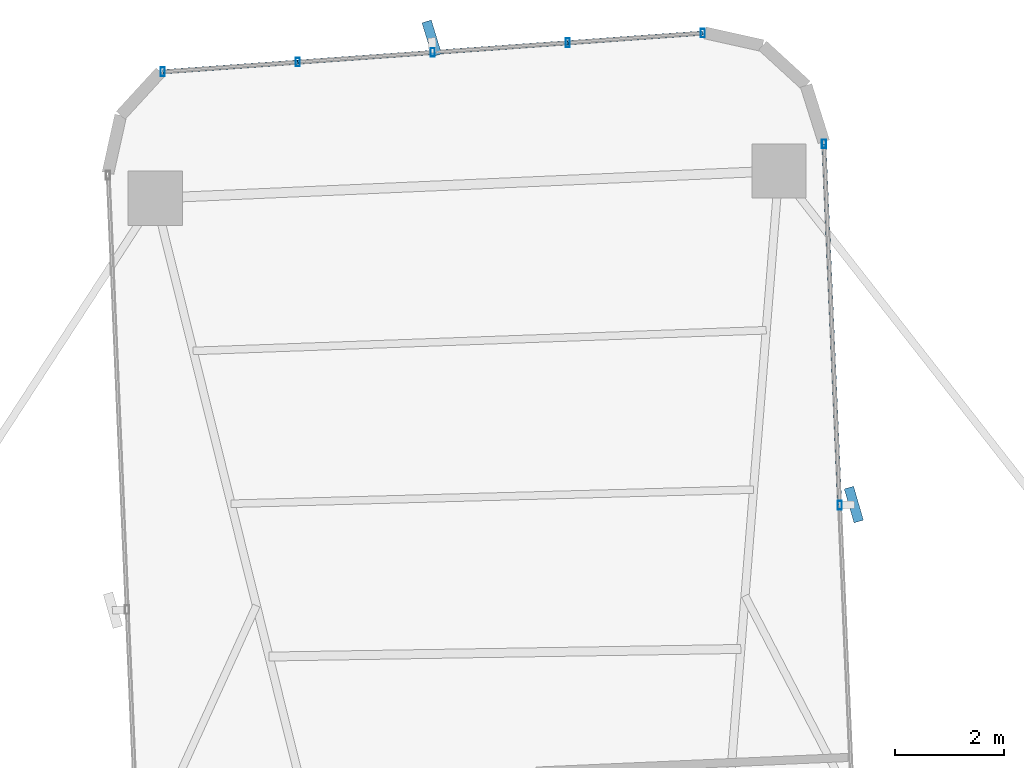
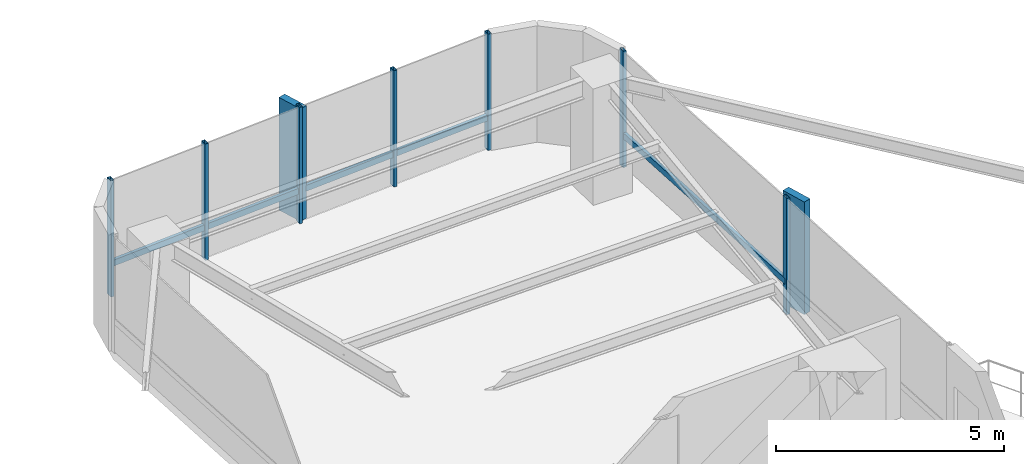
# One storey, part 19 of 26: 14 members, 2 elements without a shape of their own.
"""IFC4 building model written with IfcOpenShell, lengths in metres."""

from ifc_helpers import new_model, si_unit, direction, frame, origin, origin_2d, place, context, subcontext, project, spatial, rectangle, hollow_rectangle, extrude, source, transform, mapped, material, material_profile, profile_set, type_object, element, aggregate, save


model = new_model("IFC4")

# Units and contexts
model_context = context("Model", 3, precision=1e-05, world=origin(), true_north=direction((0.0, 1.0)))
body_context = subcontext(model_context, "Body", "Model", "MODEL_VIEW")
ifc_project = project(units=[si_unit("LENGTHUNIT", "METRE"), si_unit("AREAUNIT", "SQUARE_METRE"), si_unit("VOLUMEUNIT", "CUBIC_METRE"), si_unit("PLANEANGLEUNIT", "RADIAN"), si_unit("MASSUNIT", "GRAM", prefix="KILO")], contexts=[model_context])

# Site, building, storey
site_placement = place(None, origin())
site = spatial("IfcSite", under=ifc_project, at=site_placement, CompositionType="ELEMENT")
building_placement = place(site_placement, origin())
building = spatial("IfcBuilding", under=site, at=building_placement, Name="Sahyath Konkavel Grand Hotel", CompositionType="ELEMENT")
storey_placement = place(building_placement, frame((0.0, 0.0, 96.89990234375)))
storey = spatial("IfcBuildingStorey", under=building, at=storey_placement, Name="L26", CompositionType="ELEMENT", Elevation=96.89990234375)

# Curtain wall, member
ifc_material_1 = material(Name="Anodised Bronze Aluminium & Low-E Glazing", Category="aluminium")
curtain_wall_type = type_object("IfcCurtainWallType", Name="CW-ZONE2", PredefinedType="NOTDEFINED", material=ifc_material_1)
curtain_wall_1_placement = place(storey_placement, origin())
curtain_wall_1 = element("IfcCurtainWall", 1, at=curtain_wall_1_placement, inside=storey, type_object=curtain_wall_type, Name="L26 Unitised Curtain Wall F8", PredefinedType="NOTDEFINED")
ifc_material_2 = material(Name="Warm Buff Sandstone Cladding on Concrete C50/60", Category="masonry")
ifc_material_profile_1 = material_profile(ifc_material_2, rectangle(XDim=0.179931640625, YDim=0.64990234375, at=origin_2d()), Name="FIN 180x650")
ifc_profile_set_1 = profile_set([ifc_material_profile_1], Name="Warm Buff Sandstone Cladding on Concrete C50/60")
member_type_1 = type_object("IfcMemberType", Name="FIN-SANDSTONE-650", PredefinedType="MULLION", material=ifc_profile_set_1)
shared_shape_1 = source(origin(), body_context, "Body", "SweptSolid", [
    extrude(rectangle(XDim=0.179931640625, YDim=0.64990234375, at=origin_2d()), origin(), (0.0, 0.0, 1.0), 3.010009765625),
])
member_1_placement = place(storey_placement, frame((6.155517578125, 16.283935546875, 0.050048828125), z_axis=(0.0, 0.0, 1.0), x_axis=(0.960488224179, 0.278320626641, 0.0)))
member_1 = element("IfcMember", 2, at=member_1_placement, type_object=member_type_1, Name="L26 Sandstone Vertical Solar Fin FIN F8-1", PredefinedType="MULLION", context=body_context, shape_type="MappedRepresentation", body=[
    mapped(shared_shape_1, transform((0.0, 0.0, 0.0), scale=1.0)),
])

curtain_wall_2_placement = place(storey_placement, origin())
curtain_wall_2 = element("IfcCurtainWall", 3, at=curtain_wall_2_placement, inside=storey, type_object=curtain_wall_type, Name="L26 Unitised Curtain Wall F12", PredefinedType="NOTDEFINED")
member_2_placement = place(storey_placement, frame((-1.61865234375, 24.872314453125, 0.050048828125), z_axis=(0.0, 0.0, 1.0), x_axis=(0.956151539415, 0.292872384621, 0.0)))
member_2 = element("IfcMember", 4, at=member_2_placement, type_object=member_type_1, Name="L26 Sandstone Vertical Solar Fin FIN F12-2", PredefinedType="MULLION", context=body_context, shape_type="MappedRepresentation", body=[
    mapped(shared_shape_1, transform((0.0, 0.0, 0.0), scale=1.0)),
])

# Member
ifc_material_3 = material(Name="Anodised Bronze Aluminium", Category="aluminium")
ifc_material_profile_2 = material_profile(ifc_material_3, hollow_rectangle(XDim=0.080078125, YDim=0.159912109375, WallThickness=0.006103515625, at=origin_2d()), Name="RHS 160x80x6")
ifc_profile_set_2 = profile_set([ifc_material_profile_2], Name="Anodised Bronze Aluminium")
member_type_2 = type_object("IfcMemberType", Name="CW-MUL-160", PredefinedType="MULLION", material=ifc_profile_set_2)
shared_shape_2 = source(origin(), body_context, "Body", "SweptSolid", [
    extrude(hollow_rectangle(XDim=0.080078125, YDim=0.159912109375, WallThickness=0.006103515625, at=origin_2d()), origin(), (0.0, 0.0, 1.0), 3.110107421875),
])
member_3_placement = place(storey_placement, frame((5.895751953125, 16.272705078125, 0.0), z_axis=(0.0, 0.0, 1.0), x_axis=(1.0, 0.0, 0.0)))
member_3 = element("IfcMember", 5, at=member_3_placement, type_object=member_type_2, Name="L26 Curtain Wall Mullion F8-1", PredefinedType="MULLION", context=body_context, shape_type="MappedRepresentation", body=[
    mapped(shared_shape_2, transform((0.0, 0.0, 0.0), scale=1.0)),
])

member_4_placement = place(storey_placement, frame((5.605224609375, 22.92626953125, 0.0), z_axis=(0.0, 0.0, 1.0), x_axis=(1.0, 0.0, 0.0)))
member_4 = element("IfcMember", 6, at=member_4_placement, type_object=member_type_2, Name="L26 Curtain Wall Mullion F8-2", PredefinedType="MULLION", context=body_context, shape_type="MappedRepresentation", body=[
    mapped(shared_shape_2, transform((0.0, 0.0, 0.0), scale=1.0)),
])

member_5_placement = place(storey_placement, frame((3.3740234375, 24.9697265625, 0.0), z_axis=(0.0, 0.0, 1.0), x_axis=(1.0, 0.0, 0.0)))
member_5 = element("IfcMember", 7, at=member_5_placement, type_object=member_type_2, Name="L26 Curtain Wall Mullion F12-0", PredefinedType="MULLION", context=body_context, shape_type="MappedRepresentation", body=[
    mapped(shared_shape_2, transform((0.0, 0.0, 0.0), scale=1.0)),
])

member_6_placement = place(storey_placement, frame((0.886962890625, 24.79150390625, 0.0), z_axis=(0.0, 0.0, 1.0), x_axis=(1.0, 0.0, 0.0)))
member_6 = element("IfcMember", 8, at=member_6_placement, type_object=member_type_2, Name="L26 Curtain Wall Mullion F12-1", PredefinedType="MULLION", context=body_context, shape_type="MappedRepresentation", body=[
    mapped(shared_shape_2, transform((0.0, 0.0, 0.0), scale=1.0)),
])

member_7_placement = place(storey_placement, frame((-1.60009765625, 24.61279296875, 0.0), z_axis=(0.0, 0.0, 1.0), x_axis=(1.0, 0.0, 0.0)))
member_7 = element("IfcMember", 9, at=member_7_placement, type_object=member_type_2, Name="L26 Curtain Wall Mullion F12-2", PredefinedType="MULLION", context=body_context, shape_type="MappedRepresentation", body=[
    mapped(shared_shape_2, transform((0.0, 0.0, 0.0), scale=1.0)),
])

member_8_placement = place(storey_placement, frame((-4.087158203125, 24.4345703125, 0.0), z_axis=(0.0, 0.0, 1.0), x_axis=(1.0, 0.0, 0.0)))
member_8 = element("IfcMember", 10, at=member_8_placement, type_object=member_type_2, Name="L26 Curtain Wall Mullion F12-3", PredefinedType="MULLION", context=body_context, shape_type="MappedRepresentation", body=[
    mapped(shared_shape_2, transform((0.0, 0.0, 0.0), scale=1.0)),
])

member_9_placement = place(storey_placement, frame((-6.57421875, 24.256103515625, 0.0), z_axis=(0.0, 0.0, 1.0), x_axis=(1.0, 0.0, 0.0)))
member_9 = element("IfcMember", 11, at=member_9_placement, type_object=member_type_2, Name="L26 Curtain Wall Mullion F12-4", PredefinedType="MULLION", context=body_context, shape_type="MappedRepresentation", body=[
    mapped(shared_shape_2, transform((0.0, 0.0, 0.0), scale=1.0)),
])

ifc_material_profile_3 = material_profile(ifc_material_3, hollow_rectangle(XDim=0.080078125, YDim=0.159912109375, WallThickness=0.006103515625, at=origin_2d()), Name="RHS 160x80x6")
ifc_profile_set_3 = profile_set([ifc_material_profile_3], Name="Anodised Bronze Aluminium")
member_type_3 = type_object("IfcMemberType", Name="CW-TRN-160", PredefinedType="USERDEFINED", material=ifc_profile_set_3)
shared_shape_3 = source(origin(), body_context, "Body", "SweptSolid", [
    extrude(hollow_rectangle(XDim=0.080078125, YDim=0.159912109375, WallThickness=0.006103515625, at=origin_2d()), origin(), (0.0, 0.0, 1.0), 2.493408203125),
])
member_10_placement = place(storey_placement, frame((3.3740234375, 24.9697265625, 0.85009765625), z_axis=(-0.997442271688, -0.071476672066, 0.0), x_axis=(0.071476672066, -0.997442271688, 0.0)))
member_10 = element("IfcMember", 12, at=member_10_placement, type_object=member_type_3, Name="L26 Curtain Wall Transom F12-0-spandrel", ObjectType="TRANSOM", PredefinedType="USERDEFINED", context=body_context, shape_type="MappedRepresentation", body=[
    mapped(shared_shape_3, transform((0.0, 0.0, 0.0), scale=1.0)),
])

member_11_placement = place(storey_placement, frame((0.886962890625, 24.79150390625, 0.85009765625), z_axis=(-0.997428291631, -0.071671494009, 0.0), x_axis=(0.071671494009, -0.997428291631, 0.0)))
member_11 = element("IfcMember", 13, at=member_11_placement, type_object=member_type_3, Name="L26 Curtain Wall Transom F12-1-spandrel", ObjectType="TRANSOM", PredefinedType="USERDEFINED", context=body_context, shape_type="MappedRepresentation", body=[
    mapped(shared_shape_3, transform((0.0, 0.0, 0.0), scale=1.0)),
])

member_12_placement = place(storey_placement, frame((-1.60009765625, 24.61279296875, 0.85009765625), z_axis=(-0.997442271688, -0.071476672066, 0.0), x_axis=(0.071476672066, -0.997442271688, 0.0)))
member_12 = element("IfcMember", 14, at=member_12_placement, type_object=member_type_3, Name="L26 Curtain Wall Transom F12-2-spandrel", ObjectType="TRANSOM", PredefinedType="USERDEFINED", context=body_context, shape_type="MappedRepresentation", body=[
    mapped(shared_shape_3, transform((0.0, 0.0, 0.0), scale=1.0)),
])

member_13_placement = place(storey_placement, frame((-4.087158203125, 24.4345703125, 0.85009765625), z_axis=(-0.997435286367, -0.071574084062, 0.0), x_axis=(0.071574084062, -0.997435286367, 0.0)))
member_13 = element("IfcMember", 15, at=member_13_placement, type_object=member_type_3, Name="L26 Curtain Wall Transom F12-3-spandrel", ObjectType="TRANSOM", PredefinedType="USERDEFINED", context=body_context, shape_type="MappedRepresentation", body=[
    mapped(shared_shape_3, transform((0.0, 0.0, 0.0), scale=1.0)),
])

aggregate(curtain_wall_2, [member_5, member_6, member_7, member_2, member_8, member_9, member_10, member_11, member_12, member_13])

shared_shape_4 = source(origin(), body_context, "Body", "SweptSolid", [
    extrude(hollow_rectangle(XDim=0.080078125, YDim=0.159912109375, WallThickness=0.006103515625, at=origin_2d()), origin(), (0.0, 0.0, 1.0), 6.659912109375),
])
member_14_placement = place(storey_placement, frame((5.895751953125, 16.272705078125, 0.85009765625), z_axis=(-0.043623350741, 0.999048048529, 0.0), x_axis=(-0.999048048529, -0.043623350741, 0.0)))
member_14 = element("IfcMember", 16, at=member_14_placement, type_object=member_type_3, Name="L26 Curtain Wall Transom F8-1-spandrel", ObjectType="TRANSOM", PredefinedType="USERDEFINED", context=body_context, shape_type="MappedRepresentation", body=[
    mapped(shared_shape_4, transform((0.0, 0.0, 0.0), scale=1.0)),
])

aggregate(curtain_wall_1, [member_3, member_1, member_4, member_14])

save(model, "model.ifc")
